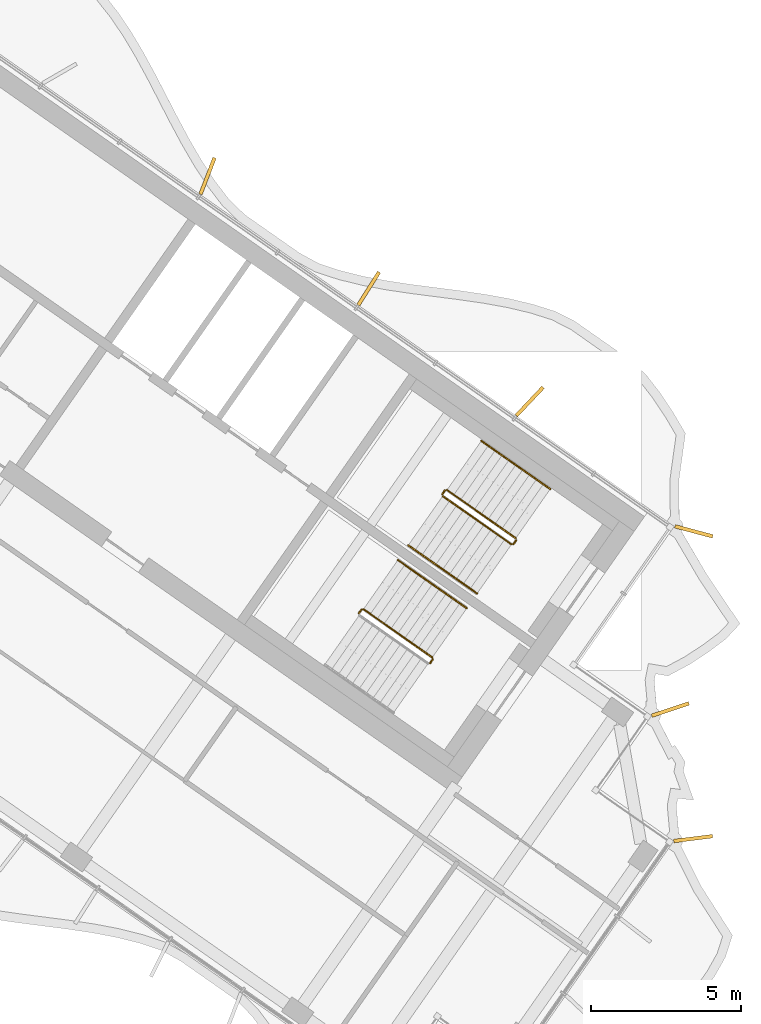
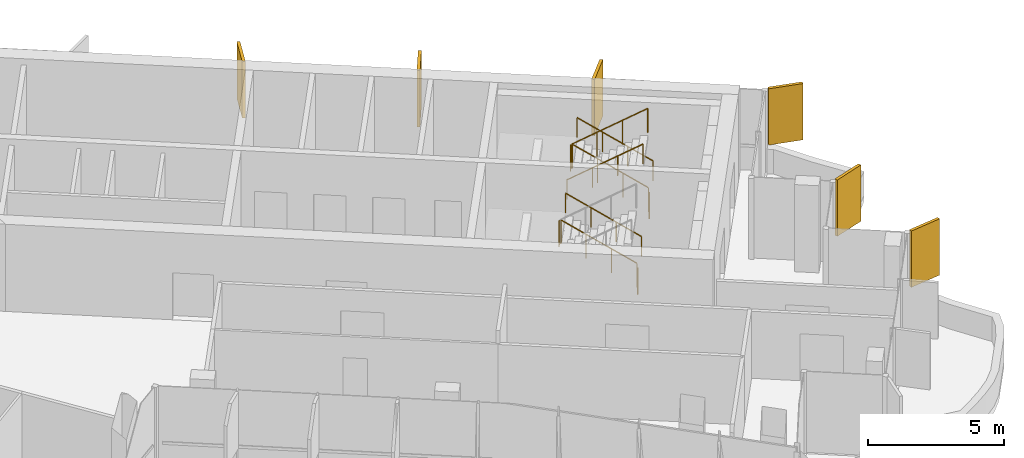
# One storey, part 16 of 18: 10 railings, 6 shading devices.
"""IFC4 building model written with IfcOpenShell, lengths in metres."""

import ifcopenshell
import ifcopenshell.guid

model = None  # the IFC model being written
_history = None  # IfcOwnerHistory: only IFC2X3 demands one
_inside = {}  # id of a spatial element -> (the spatial element, [elements in it])
_under = {}  # id of a project, library or spatial element -> (it, [spatial elements below it])
_declared = {}  # id of a project -> (the project, [libraries it declares])
_typed = {}  # id of a type object -> (the type object, [elements of that type])
_made_of = {}  # id of a material, layer set ... -> (it, [elements and type objects made of it])


def new_model(schema):
    """Start an empty IFC model of exactly this schema.

    Asked for "IFC4X3", IfcOpenShell would pick the latest addendum, in which some entities
    have other attributes; the version numbers below select the first issue.
    IFC2X3 requires an IfcOwnerHistory on every rooted entity: one is made here for all.
    """
    global model, _history
    if schema == "IFC4X3":
        model = ifcopenshell.file(schema_version=(4, 3, 0, 0))
    else:
        model = ifcopenshell.file(schema=schema)
    _inside.clear()
    _under.clear()
    _declared.clear()
    _typed.clear()
    _made_of.clear()
    _history = None
    if model.schema == "IFC2X3":
        org = make("IfcOrganization", Name="unknown")
        user = make(
            "IfcPersonAndOrganization",
            ThePerson=make("IfcPerson", FamilyName="unknown"),
            TheOrganization=org,
        )
        app = make(
            "IfcApplication",
            ApplicationDeveloper=org,
            Version="unknown",
            ApplicationFullName="unknown",
            ApplicationIdentifier="unknown",
        )
        _history = make(
            "IfcOwnerHistory",
            OwningUser=user,
            OwningApplication=app,
            ChangeAction="ADDED",
            CreationDate=0,
        )
    return model


def make(cls, **values):
    """One entity of the class cls with the attributes given. An attribute that is None is left unset."""
    return model.create_entity(
        cls, **{name: value for name, value in values.items() if value is not None}
    )


def rooted(cls, **values):
    """An entity with a GlobalId (a new one), such as an element, a storey or a relation."""
    return make(cls, GlobalId=ifcopenshell.guid.new(), OwnerHistory=_history, **values)


def si_unit(unit_type, name, prefix=None):
    """IfcSIUnit, for example si_unit("LENGTHUNIT", "METRE", prefix="MILLI")."""
    return make("IfcSIUnit", UnitType=unit_type, Prefix=prefix, Name=name)


def assignment(units):
    """IfcUnitAssignment: the units of a project."""
    return None if units is None else make("IfcUnitAssignment", Units=units)


def point(xyz):
    """IfcCartesianPoint."""
    return None if xyz is None else make("IfcCartesianPoint", Coordinates=xyz)


def direction(xyz):
    """IfcDirection."""
    return None if xyz is None else make("IfcDirection", DirectionRatios=xyz)


def frame(location, z_axis=None, x_axis=None):
    """IfcAxis2Placement3D, a coordinate frame: its origin and axes. An axis left out is left unset."""
    return make(
        "IfcAxis2Placement3D",
        Location=point(location),
        Axis=direction(z_axis),
        RefDirection=direction(x_axis),
    )


def frame_2d(location, x_axis=None):
    """IfcAxis2Placement2D, a coordinate frame in the plane: its origin and x axis."""
    return make(
        "IfcAxis2Placement2D", Location=point(location), RefDirection=direction(x_axis)
    )


def origin():
    """The frame at (0, 0, 0) with its axes left unset."""
    return frame((0.0, 0.0, 0.0))


def origin_2d():
    """The frame at (0, 0) in the plane with its x axis left unset."""
    return frame_2d((0.0, 0.0))


def place(relative_to, where):
    """IfcLocalPlacement: puts the frame where relative to a parent placement (None: the world)."""
    return make(
        "IfcLocalPlacement", PlacementRelTo=relative_to, RelativePlacement=where
    )


def context(
    kind, dimensions, precision=None, world=None, true_north=None, identifier=None
):
    """IfcGeometricRepresentationContext, for example the 3D "Model" context."""
    return make(
        "IfcGeometricRepresentationContext",
        ContextIdentifier=identifier,
        ContextType=kind,
        CoordinateSpaceDimension=dimensions,
        Precision=precision,
        WorldCoordinateSystem=world,
        TrueNorth=true_north,
    )


def subcontext(parent, identifier, kind, view, scale=None):
    """IfcGeometricRepresentationSubContext, for example "Body" below "Model"."""
    return make(
        "IfcGeometricRepresentationSubContext",
        ContextIdentifier=identifier,
        ContextType=kind,
        ParentContext=parent,
        TargetScale=scale,
        TargetView=view,
    )


def project(units=None, contexts=None):
    """IfcProject with its units and contexts."""
    return rooted(
        "IfcProject",
        Name="project",
        RepresentationContexts=contexts,
        UnitsInContext=assignment(units),
    )


def spatial(cls, under=None, at=None, **own):
    """A site, building, storey or space (cls), placed at a placement, below another one or the project."""
    s = rooted(cls, ObjectPlacement=at, **own)
    if under is not None:
        _under.setdefault(under.id(), (under, []))[1].append(s)
    return s


def profile(cls, at=None, kind="AREA", **sizes):
    """A parametric profile (cls). Its sizes go by their IFC names, for example OverallWidth=200.0."""
    return make(cls, ProfileType=kind, Position=at, **sizes)


def rectangle(**sizes):
    """IfcRectangleProfileDef."""
    return profile("IfcRectangleProfileDef", **sizes)


def circle(**sizes):
    """IfcCircleProfileDef."""
    return profile("IfcCircleProfileDef", **sizes)


def extrude(swept, where, along, depth):
    """IfcExtrudedAreaSolid: the profile swept, set in the frame where, extruded along a direction by depth."""
    return make(
        "IfcExtrudedAreaSolid",
        SweptArea=swept,
        Position=where,
        ExtrudedDirection=direction(along),
        Depth=depth,
    )


def shape(context_of_items, identifier, shape_type, items):
    """IfcShapeRepresentation: the items that make up one representation, for example the "Body"."""
    return make(
        "IfcShapeRepresentation",
        ContextOfItems=context_of_items,
        RepresentationIdentifier=identifier,
        RepresentationType=shape_type,
        Items=items,
    )


def material(Name=None, Category=None):
    """IfcMaterial."""
    return make("IfcMaterial", Name=Name, Category=Category)


def layer(
    of_material, thickness, ventilated=None, Name=None, Category=None, Priority=None
):
    """IfcMaterialLayer: one layer of a wall or slab, of a material (None: an air gap)."""
    return make(
        "IfcMaterialLayer",
        Material=of_material,
        LayerThickness=thickness,
        IsVentilated=ventilated,
        Name=Name,
        Category=Category,
        Priority=Priority,
    )


def layer_set(layers, Name=None):
    """IfcMaterialLayerSet."""
    return make("IfcMaterialLayerSet", MaterialLayers=layers, LayerSetName=Name)


def made_of(thing, what):
    """Note that an element or type object is made of a material, layer set ...; save() writes the relation."""
    if what is not None:
        _made_of.setdefault(what.id(), (what, []))[1].append(thing)
    return thing


def type_object(cls, material=None, **own):
    """A type object (cls), such as IfcWallType, which elements share."""
    return made_of(rooted(cls, **own), material)


def element(
    cls,
    number,
    at=None,
    inside=None,
    cuts=None,
    type_object=None,
    material=None,
    context=None,
    identifier="Body",
    shape_type=None,
    held_by="IfcProductDefinitionShape",
    body=None,
    shapes=None,
    **own,
):
    """One element of the class cls, such as IfcWall. Its Tag is "e" and its number.

    at: its placement. inside: the storey or other place that contains it. cuts: it is an
    opening in that element (IfcRelVoidsElement). A single representation is given by context,
    identifier, shape_type and body (its items); several are given by shapes. held_by: the class
    of the entity that holds the representations. save() writes the other relations.
    """
    e = rooted(cls, Tag="e%d" % number, ObjectPlacement=at, **own)
    if body is not None:
        shapes = [shape(context, identifier, shape_type, body)]
    if shapes is not None:
        e.Representation = make(held_by, Representations=shapes)
    if inside is not None:
        _inside.setdefault(inside.id(), (inside, []))[1].append(e)
    if cuts is not None:
        rooted(
            "IfcRelVoidsElement", RelatingBuildingElement=cuts, RelatedOpeningElement=e
        )
    if type_object is not None:
        _typed.setdefault(type_object.id(), (type_object, []))[1].append(e)
    return made_of(e, material)


def aggregate(whole, parts):
    """IfcRelAggregates: a whole, such as a stair, and the parts it consists of."""
    return rooted("IfcRelAggregates", RelatingObject=whole, RelatedObjects=parts)


def save(model, path):
    """Write the relations noted so far, then the file.

    IfcRelAggregates (storeys below a building ...), IfcRelContainedInSpatialStructure (elements
    in a storey), IfcRelDefinesByType, IfcRelAssociatesMaterial and IfcRelDeclares: one each for
    every whole, place, type object, material and project.
    """
    for whole, parts in _under.values():
        aggregate(whole, parts)
    for where, things in _inside.values():
        rooted(
            "IfcRelContainedInSpatialStructure",
            RelatedElements=things,
            RelatingStructure=where,
        )
    for kind, things in _typed.values():
        rooted("IfcRelDefinesByType", RelatedObjects=things, RelatingType=kind)
    for what, things in _made_of.values():
        rooted("IfcRelAssociatesMaterial", RelatedObjects=things, RelatingMaterial=what)
    for by, libraries in _declared.values():
        rooted("IfcRelDeclares", RelatingContext=by, RelatedDefinitions=libraries)
    model.write(path)


model = new_model("IFC4")

# Units and contexts
model_context = context("Model", 3, precision=1e-05, world=origin(), true_north=direction((0.0, 1.0)))
body_context = subcontext(model_context, "Body", "Model", "MODEL_VIEW")
ifc_project = project(units=[si_unit("LENGTHUNIT", "METRE"), si_unit("AREAUNIT", "SQUARE_METRE"), si_unit("VOLUMEUNIT", "CUBIC_METRE"), si_unit("PLANEANGLEUNIT", "RADIAN"), si_unit("MASSUNIT", "GRAM", prefix="KILO")], contexts=[model_context])

# Site, building, storey
site_placement = place(None, origin())
site = spatial("IfcSite", under=ifc_project, at=site_placement, CompositionType="ELEMENT")
building_placement = place(site_placement, origin())
building = spatial("IfcBuilding", under=site, at=building_placement, Name="Tel Ilan Convention Tower", CompositionType="ELEMENT")
storey_placement = place(building_placement, frame((0.0, 0.0, 295.60009765625)))
storey = spatial("IfcBuildingStorey", under=building, at=storey_placement, Name="L70", CompositionType="ELEMENT", Elevation=295.60009765625)

# Shading devices
ifc_material_1 = material(Name="Aluminium, bronze anodised", Category="aluminium")
ifc_layer = layer(ifc_material_1, 0.1201171875)
ifc_layer_set = layer_set([ifc_layer], Name="FIN BRONZE 1300x120")
shading_device_type = type_object("IfcShadingDeviceType", Name="FIN BRONZE 1300x120", PredefinedType="USERDEFINED", material=ifc_layer_set)
for number, where, z_axis, x_axis, name in (
    (1, (29.611083984375, -7.623046875, 1.099853515625), (0.0, 0.0, 1.0), (0.965925826289, -0.258819045103, 0.0), "FIN"),
    (2, (24.144287109375, -3.292724609375, 1.099853515625), (0.0, 0.0, 1.0), (0.686241637865, 0.727373641577, 0.0), "FIN"),
    (3, (18.7763671875, 0.46630859375, 1.099853515625), (0.0, 0.0, 1.0), (0.533204432798, 0.845986425922, 0.0), "FIN"),
    (4, (13.4052734375, 4.218994140625, 1.099853515625), (0.0, 0.0, 1.0), (0.360177724803, 0.932883704733, 0.0), "FIN"),
    (5, (29.588134765625, -17.863037109375, 1.099853515625), (0.0, 0.0, 1.0), (0.992066016082, 0.125718016748, 0.0), "FIN"),
    (6, (28.829345703125, -13.56103515625, 1.099853515625), (0.0, 0.0, 1.0), (0.949242643575, 0.314544756146, 0.0), "FIN"),
):
    element("IfcShadingDevice", number, at=place(storey_placement, frame(where, z_axis=z_axis, x_axis=x_axis)), inside=storey, type_object=shading_device_type, Name=name, ObjectType="FIN", PredefinedType="USERDEFINED", context=body_context, shape_type="SweptSolid", body=[
        extrude(rectangle(XDim=1.300048828125, YDim=0.1201171875, at=origin_2d()), origin(), (0.0, 0.0, 1.0), 2.52001953125),
    ])

# Railings
ifc_material_2 = material(Name="Stainless Steel Grade 316", Category="steel")
railing_type_1 = type_object("IfcRailingType", Name="Stainless Steel Stair Guard 1100 mm", PredefinedType="GUARDRAIL", material=ifc_material_2)
railing_1_placement = place(storey_placement, frame((23.6787109375, -7.8515625, 0.17724609375)))
element("IfcRailing", 7, at=railing_1_placement, inside=storey, type_object=railing_type_1, Name="L70 S3 stair guard 1", PredefinedType="GUARDRAIL", context=body_context, shape_type="SweptSolid", body=[
    extrude(circle(Radius=0.02392578125, at=origin_2d()), frame((0.0, 0.0, 1.076171875), z_axis=(-0.692084706163, 0.484621375041, 0.534940073605), x_axis=(-0.573591086599, -0.819141785879, 0.0)), (0.0, 0.0, 1.0), 3.313720703125),
    extrude(circle(Radius=0.02099609375, at=origin_2d()), origin(), (0.0, 0.0, 1.0), 1.052001953125),
    extrude(circle(Radius=0.02099609375, at=origin_2d()), frame((-0.764404296875, 0.535400390625, 0.5908203125)), (0.0, 0.0, 1.0), 1.052001953125),
    extrude(circle(Radius=0.02099609375, at=origin_2d()), frame((-1.529052734375, 1.070556640625, 1.181884765625)), (0.0, 0.0, 1.0), 1.052001953125),
    extrude(circle(Radius=0.02099609375, at=origin_2d()), frame((-2.29345703125, 1.60595703125, 1.772705078125)), (0.0, 0.0, 1.0), 1.052001953125),
])
railing_2_placement = place(storey_placement, frame((21.3154296875, -6.2578125, 1.949951171875)))
element("IfcRailing", 8, at=railing_2_placement, inside=storey, type_object=railing_type_1, Name="L70 S3 stair guard 2", PredefinedType="GUARDRAIL", context=body_context, shape_type="SweptSolid", body=[
    extrude(circle(Radius=0.02392578125, at=origin_2d()), frame((0.0, 0.0, 1.076171875), z_axis=(-0.573353020881, -0.819308436089, 0.0), x_axis=(0.819308436089, -0.573353020881, 0.0)), (0.0, 0.0, 1.0), 0.14990234375),
    extrude(circle(Radius=0.02099609375, at=origin_2d()), origin(), (0.0, 0.0, 1.0), 1.052001953125),
    extrude(circle(Radius=0.02099609375, at=origin_2d()), frame((-0.0859375, -0.122802734375, 0.0)), (0.0, 0.0, 1.0), 1.052001953125),
])
railing_3_placement = place(storey_placement, frame((21.24169921875, -6.4501953125, 2.127197265625)))
element("IfcRailing", 9, at=railing_3_placement, inside=storey, type_object=railing_type_1, Name="L70 S3 stair guard 3", PredefinedType="GUARDRAIL", context=body_context, shape_type="SweptSolid", body=[
    extrude(circle(Radius=0.02392578125, at=origin_2d()), frame((0.0, 0.0, 1.076171875), z_axis=(0.692098378994, -0.484653031975, 0.534893701956), x_axis=(0.573608623498, 0.819129505664, 0.0)), (0.0, 0.0, 1.0), 3.314208984375),
    extrude(circle(Radius=0.02099609375, at=origin_2d()), origin(), (0.0, 0.0, 1.0), 1.052001953125),
    extrude(circle(Radius=0.02099609375, at=origin_2d()), frame((0.7646484375, -0.535400390625, 0.5908203125)), (0.0, 0.0, 1.0), 1.052001953125),
    extrude(circle(Radius=0.02099609375, at=origin_2d()), frame((1.529052734375, -1.07080078125, 1.181884765625)), (0.0, 0.0, 1.0), 1.052001953125),
    extrude(circle(Radius=0.02099609375, at=origin_2d()), frame((2.293701171875, -1.606201171875, 1.772705078125)), (0.0, 0.0, 1.0), 1.052001953125),
])
railing_4_placement = place(storey_placement, frame((23.691162109375, -7.921142578125, 0.0)))
element("IfcRailing", 10, at=railing_4_placement, inside=storey, type_object=railing_type_1, Name="L70 S3 stair guard 4", PredefinedType="GUARDRAIL", context=body_context, shape_type="SweptSolid", body=[
    extrude(circle(Radius=0.02392578125, at=origin_2d()), frame((0.0, 0.0, 1.076171875), z_axis=(-0.574444878118, -0.818543268254, 0.0), x_axis=(0.818543268254, -0.574444878118, 0.0)), (0.0, 0.0, 1.0), 0.150146484375),
    extrude(circle(Radius=0.02099609375, at=origin_2d()), origin(), (0.0, 0.0, 1.0), 1.052001953125),
    extrude(circle(Radius=0.02099609375, at=origin_2d()), frame((-0.086181640625, -0.122802734375, 0.0)), (0.0, 0.0, 1.0), 1.052001953125),
])
railing_5_placement = place(storey_placement, frame((20.89697265625, -11.824462890625, 0.17724609375)))
element("IfcRailing", 11, at=railing_5_placement, inside=storey, type_object=railing_type_1, Name="L70 S4 stair guard 1", PredefinedType="GUARDRAIL", context=body_context, shape_type="SweptSolid", body=[
    extrude(circle(Radius=0.02392578125, at=origin_2d()), frame((0.0, 0.0, 1.076171875), z_axis=(-0.692123088272, 0.484596665743, 0.534912798717), x_axis=(-0.573550118428, -0.819170471667, 0.0)), (0.0, 0.0, 1.0), 3.31396484375),
    extrude(circle(Radius=0.02099609375, at=origin_2d()), origin(), (0.0, 0.0, 1.0), 1.052001953125),
    extrude(circle(Radius=0.02099609375, at=origin_2d()), frame((-0.7646484375, 0.535400390625, 0.5908203125)), (0.0, 0.0, 1.0), 1.052001953125),
    extrude(circle(Radius=0.02099609375, at=origin_2d()), frame((-1.529052734375, 1.070556640625, 1.181884765625)), (0.0, 0.0, 1.0), 1.052001953125),
    extrude(circle(Radius=0.02099609375, at=origin_2d()), frame((-2.293701171875, 1.60595703125, 1.772705078125)), (0.0, 0.0, 1.0), 1.052001953125),
])
for number, where, name in (
    (12, (18.53369140625, -10.230712890625, 1.949951171875), "L70 S4 stair guard 2"),
    (13, (20.9091796875, -11.89404296875, 0.0), "L70 S4 stair guard 4"),
):
    element("IfcRailing", number, at=place(storey_placement, frame(where)), inside=storey, type_object=railing_type_1, Name=name, PredefinedType="GUARDRAIL", context=body_context, shape_type="SweptSolid", body=[
        extrude(circle(Radius=0.02392578125, at=origin_2d()), frame((0.0, 0.0, 1.076171875), z_axis=(-0.573353020881, -0.819308436089, 0.0), x_axis=(0.819308436089, -0.573353020881, 0.0)), (0.0, 0.0, 1.0), 0.14990234375),
        extrude(circle(Radius=0.02099609375, at=origin_2d()), origin(), (0.0, 0.0, 1.0), 1.052001953125),
        extrude(circle(Radius=0.02099609375, at=origin_2d()), frame((-0.0859375, -0.122802734375, 0.0)), (0.0, 0.0, 1.0), 1.052001953125),
    ])
ifc_material_3 = material(Name="Stainless Steel Grade 316", Category="steel")
railing_type_2 = type_object("IfcRailingType", Name="Stainless Steel Stair Handrail 900 mm", PredefinedType="HANDRAIL", material=ifc_material_3)
railing_6_placement = place(storey_placement, frame((24.825927734375, -6.213134765625, 0.17724609375)))
element("IfcRailing", 14, at=railing_6_placement, inside=storey, type_object=railing_type_2, Name="L70 S3 stair handrail 1", PredefinedType="HANDRAIL", context=body_context, shape_type="SweptSolid", body=[
    extrude(circle(Radius=0.02392578125, at=origin_2d()), frame((0.0, 0.0, 0.8759765625), z_axis=(-0.692123088272, 0.484596665743, 0.534912798717), x_axis=(-0.573550118428, -0.819170471667, 0.0)), (0.0, 0.0, 1.0), 3.31396484375),
    extrude(circle(Radius=0.02099609375, at=origin_2d()), origin(), (0.0, 0.0, 1.0), 0.851806640625),
    extrude(circle(Radius=0.02099609375, at=origin_2d()), frame((-0.7646484375, 0.535400390625, 0.5908203125)), (0.0, 0.0, 1.0), 0.851806640625),
    extrude(circle(Radius=0.02099609375, at=origin_2d()), frame((-1.529052734375, 1.070556640625, 1.181884765625)), (0.0, 0.0, 1.0), 0.851806640625),
    extrude(circle(Radius=0.02099609375, at=origin_2d()), frame((-2.293701171875, 1.60595703125, 1.772705078125)), (0.0, 0.0, 1.0), 0.851806640625),
])
railing_7_placement = place(storey_placement, frame((20.0947265625, -8.088623046875, 2.127197265625)))
element("IfcRailing", 15, at=railing_7_placement, inside=storey, type_object=railing_type_2, Name="L70 S3 stair handrail 2", PredefinedType="HANDRAIL", context=body_context, shape_type="SweptSolid", body=[
    extrude(circle(Radius=0.02392578125, at=origin_2d()), frame((0.0, 0.0, 0.8759765625), z_axis=(0.692084706163, -0.484621375041, 0.534940073605), x_axis=(0.573591086599, 0.819141785879, 0.0)), (0.0, 0.0, 1.0), 3.313720703125),
    extrude(circle(Radius=0.02099609375, at=origin_2d()), origin(), (0.0, 0.0, 1.0), 0.851806640625),
    extrude(circle(Radius=0.02099609375, at=origin_2d()), frame((0.764404296875, -0.535400390625, 0.5908203125)), (0.0, 0.0, 1.0), 0.851806640625),
    extrude(circle(Radius=0.02099609375, at=origin_2d()), frame((1.529052734375, -1.070556640625, 1.181884765625)), (0.0, 0.0, 1.0), 0.851806640625),
    extrude(circle(Radius=0.02099609375, at=origin_2d()), frame((2.29345703125, -1.60595703125, 1.772705078125)), (0.0, 0.0, 1.0), 0.851806640625),
])
railing_8_placement = place(storey_placement, frame((22.044189453125, -10.18603515625, 0.17724609375)))
element("IfcRailing", 16, at=railing_8_placement, inside=storey, type_object=railing_type_2, Name="L70 S4 stair handrail 1", PredefinedType="HANDRAIL", context=body_context, shape_type="SweptSolid", body=[
    extrude(circle(Radius=0.02392578125, at=origin_2d()), frame((0.0, 0.0, 0.8759765625), z_axis=(-0.692123088272, 0.484596665743, 0.534912798717), x_axis=(-0.573550118428, -0.819170471667, 0.0)), (0.0, 0.0, 1.0), 3.31396484375),
    extrude(circle(Radius=0.02099609375, at=origin_2d()), origin(), (0.0, 0.0, 1.0), 0.851806640625),
    extrude(circle(Radius=0.02099609375, at=origin_2d()), frame((-0.7646484375, 0.535400390625, 0.5908203125)), (0.0, 0.0, 1.0), 0.851806640625),
    extrude(circle(Radius=0.02099609375, at=origin_2d()), frame((-1.529052734375, 1.070556640625, 1.181884765625)), (0.0, 0.0, 1.0), 0.851806640625),
    extrude(circle(Radius=0.02099609375, at=origin_2d()), frame((-2.293701171875, 1.60595703125, 1.772705078125)), (0.0, 0.0, 1.0), 0.851806640625),
])

save(model, "model.ifc")
